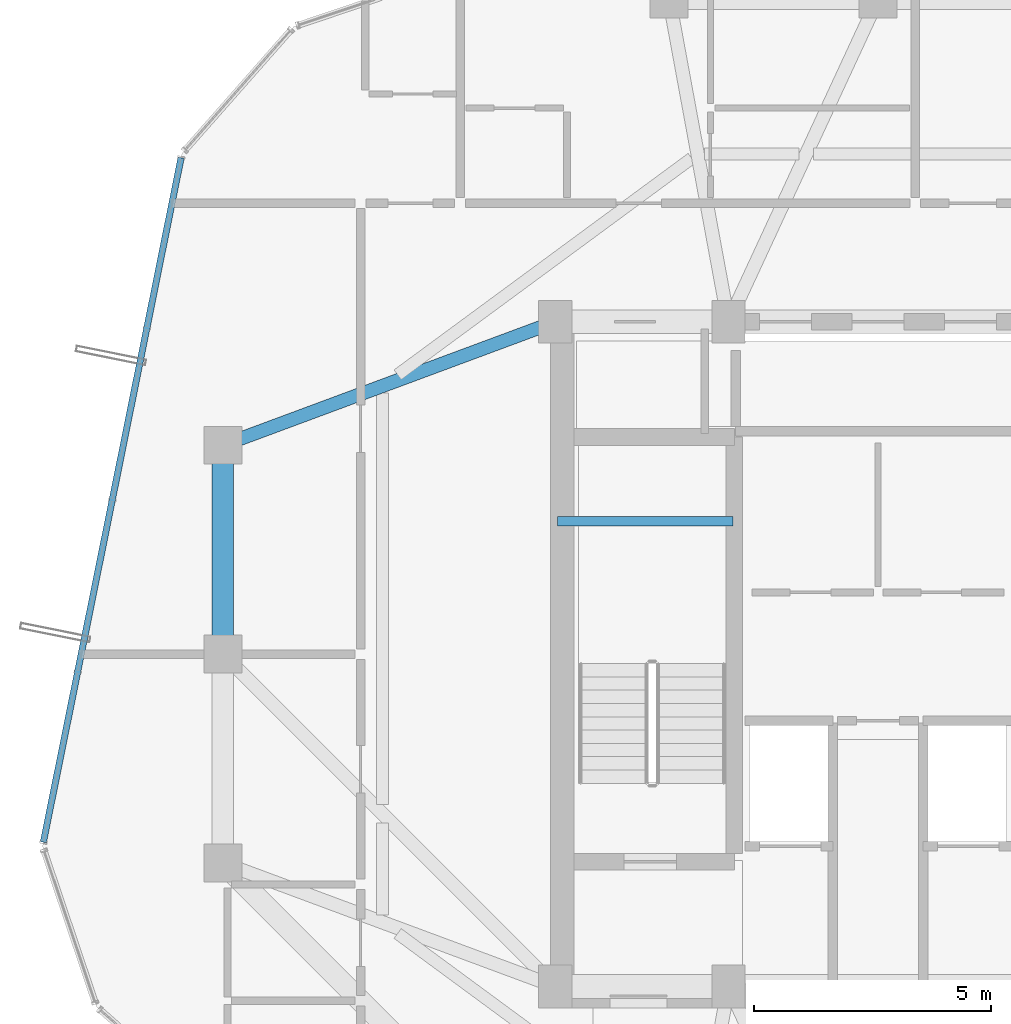
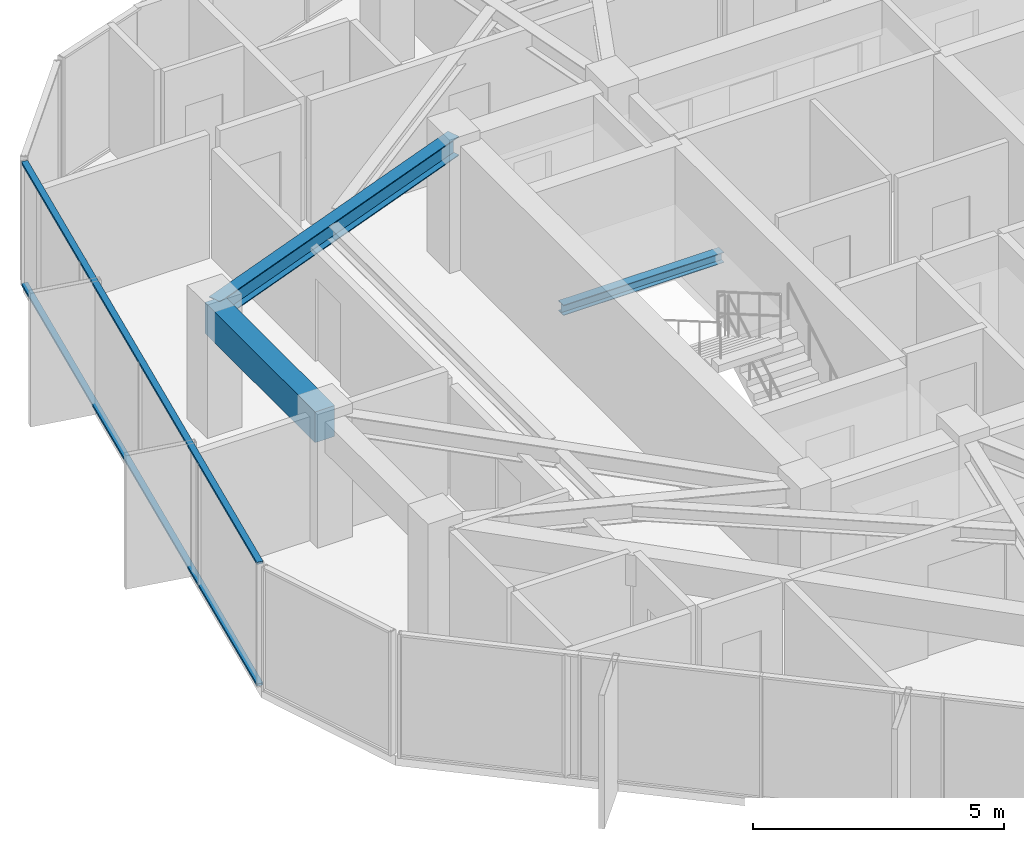
# One storey, part 12 of 28: 3 beams, 2 members, 1 element without a shape of its own.
"""IFC4 building model written with IfcOpenShell, lengths in metres."""

from ifc_helpers import new_model, si_unit, direction, frame, origin, origin_2d, place, context, subcontext, project, spatial, rectangle, hollow_rectangle, i_section, extrude, source, transform, mapped, material, layer, layer_set, material_profile, profile_set, type_object, element, aggregate, save


model = new_model("IFC4")

# Units and contexts
model_context = context("Model", 3, precision=1e-05, world=origin(), true_north=direction((0.0, 1.0)))
body_context = subcontext(model_context, "Body", "Model", "MODEL_VIEW")
ifc_project = project(units=[si_unit("LENGTHUNIT", "METRE"), si_unit("AREAUNIT", "SQUARE_METRE"), si_unit("VOLUMEUNIT", "CUBIC_METRE"), si_unit("PLANEANGLEUNIT", "RADIAN"), si_unit("MASSUNIT", "GRAM", prefix="KILO")], contexts=[model_context])

# Site, building, storey
site_placement = place(None, origin())
site = spatial("IfcSite", under=ifc_project, at=site_placement, CompositionType="ELEMENT")
building_placement = place(site_placement, origin())
building = spatial("IfcBuilding", under=site, at=building_placement, Name="Veraguas Prism Commons", CompositionType="ELEMENT")
storey_placement = place(building_placement, frame((0.0, 0.0, 248.0)))
storey = spatial("IfcBuildingStorey", under=building, at=storey_placement, Name="L70", CompositionType="ELEMENT", Elevation=248.0)

# Beams
ifc_material_1 = material(Name="Concrete C50/60", Category="concrete")
ifc_material_profile_1 = material_profile(ifc_material_1, rectangle(XDim=0.449951171875, YDim=0.75, at=origin_2d()), Name="RC450X750")
ifc_profile_set_1 = profile_set([ifc_material_profile_1], Name="Concrete C50/60")
beam_type_1 = type_object("IfcBeamType", Name="Perimeter Spandrel Upper RC 450x750", PredefinedType="SPANDREL", material=ifc_profile_set_1)
beam_1_placement = place(storey_placement, frame((10.199951171875, 28.39990234375, 2.639892578125), z_axis=(0.0, -1.0, 0.0), x_axis=(1.0, 0.0, 0.0)))
element("IfcBeam", 1, at=beam_1_placement, inside=storey, type_object=beam_type_1, Name="Perimeter Spandrel Beam L70-SP07", PredefinedType="SPANDREL", context=body_context, shape_type="SweptSolid", body=[
    extrude(rectangle(XDim=0.449951171875, YDim=0.75, at=origin_2d()), origin(), (0.0, 0.0, 1.0), 4.39990234375),
])
ifc_material_2 = material(Name="Steel ASTM A992 Grade 50", Category="steel")
ifc_material_profile_2 = material_profile(ifc_material_2, i_section(OverallWidth=0.202880859375, OverallDepth=0.251953125, WebThickness=0.008056640625, FlangeThickness=0.013427734375, at=origin_2d()), Name="W250X58")
ifc_profile_set_2 = profile_set([ifc_material_profile_2], Name="Steel ASTM A992 Grade 50")
beam_type_2 = type_object("IfcBeamType", Name="Structural Opening Lintel W250x58", PredefinedType="LINTEL", material=ifc_profile_set_2)
beam_2_placement = place(storey_placement, frame((17.25, 26.800048828125, 1.299072265625), z_axis=(1.0, 0.0, 0.0), x_axis=(0.0, 1.0, 0.0)))
element("IfcBeam", 2, at=beam_2_placement, inside=storey, type_object=beam_type_2, Name="Stair ST-01 Half-Landing Support Beam L70-1", PredefinedType="LINTEL", context=body_context, shape_type="SweptSolid", body=[
    extrude(i_section(OverallWidth=0.202880859375, OverallDepth=0.251953125, WebThickness=0.008056640625, FlangeThickness=0.013427734375, at=origin_2d()), origin(), (0.0, 0.0, 1.0), 3.699951171875),
])
ifc_material_profile_3 = material_profile(ifc_material_2, i_section(OverallWidth=0.282958984375, OverallDepth=0.471923828125, WebThickness=0.013671875, FlangeThickness=0.022216796875, at=origin_2d()), Name="W460X144")
ifc_profile_set_3 = profile_set([ifc_material_profile_3], Name="Steel ASTM A992 Grade 50")
beam_type_3 = type_object("IfcBeamType", Name="Zone 4 Radial Girder W460x144", PredefinedType="BEAM", material=ifc_profile_set_3)
beam_3_placement = place(storey_placement, frame((10.199951171875, 28.39990234375, 2.779052734375), z_axis=(0.937421003341, 0.348198021958, 0.0), x_axis=(-0.348198021958, 0.937421003341, 0.0)))
element("IfcBeam", 3, at=beam_3_placement, inside=storey, type_object=beam_type_3, Name="Radial Floor Girder L70-RD07", PredefinedType="BEAM", context=body_context, shape_type="SweptSolid", body=[
    extrude(i_section(OverallWidth=0.282958984375, OverallDepth=0.471923828125, WebThickness=0.013671875, FlangeThickness=0.022216796875, at=origin_2d()), origin(), (0.0, 0.0, 1.0), 7.46728515625),
])

# Curtain wall, members
ifc_material_3 = material(Name="Anodised aluminium EN AW-6063 T6", Category="aluminium")
ifc_layer = layer(ifc_material_3, 0.14990234375, Name="Unitised Flush Curtain Wall Zone 4", Category="aluminium")
ifc_layer_set = layer_set([ifc_layer], Name="Anodised aluminium EN AW-6063 T6")
curtain_wall_type = type_object("IfcCurtainWallType", Name="Unitised Flush Curtain Wall Zone 4", PredefinedType="NOTDEFINED", material=ifc_layer_set)
curtain_wall_placement = place(storey_placement, origin())
curtain_wall = element("IfcCurtainWall", 4, at=curtain_wall_placement, inside=storey, type_object=curtain_wall_type, Name="Tower Facade Curtain Wall L70-F3", PredefinedType="NOTDEFINED")
ifc_material_profile_4 = material_profile(ifc_material_3, hollow_rectangle(XDim=0.054931640625, YDim=0.135009765625, WallThickness=0.0029296875, at=origin_2d()), Name="AL55X135X3")
ifc_profile_set_4 = profile_set([ifc_material_profile_4], Name="Anodised aluminium EN AW-6063 T6")
member_type = type_object("IfcMemberType", Name="Curtain Wall Transom Standard AL 55x135x3", PredefinedType="USERDEFINED", material=ifc_profile_set_4)
shared_shape = source(origin(), body_context, "Body", "SweptSolid", [
    extrude(hollow_rectangle(XDim=0.054931640625, YDim=0.135009765625, WallThickness=0.0029296875, at=origin_2d()), origin(), (0.0, 0.0, 1.0), 14.706298828125),
])
member_1_placement = place(storey_placement, frame((9.320068359375, 34.455322265625, 0.027587890625), z_axis=(-0.197319560364, -0.980339222462, 0.0), x_axis=(0.0, 0.0, 1.0)))
member_1 = element("IfcMember", 5, at=member_1_placement, type_object=member_type, Name="CW-Z4 Transom 1", ObjectType="TRANSOM", PredefinedType="USERDEFINED", context=body_context, shape_type="MappedRepresentation", body=[
    mapped(shared_shape, transform((0.0, 0.0, 0.0), scale=1.0)),
])
member_2_placement = place(storey_placement, frame((9.320068359375, 34.455322265625, 2.987548828125), z_axis=(-0.197319560364, -0.980339222462, 0.0), x_axis=(0.0, 0.0, 1.0)))
member_2 = element("IfcMember", 6, at=member_2_placement, type_object=member_type, Name="CW-Z4 Transom 2", ObjectType="TRANSOM", PredefinedType="USERDEFINED", context=body_context, shape_type="MappedRepresentation", body=[
    mapped(shared_shape, transform((0.0, 0.0, 0.0), scale=1.0)),
])
aggregate(curtain_wall, [member_1, member_2])

save(model, "model.ifc")
